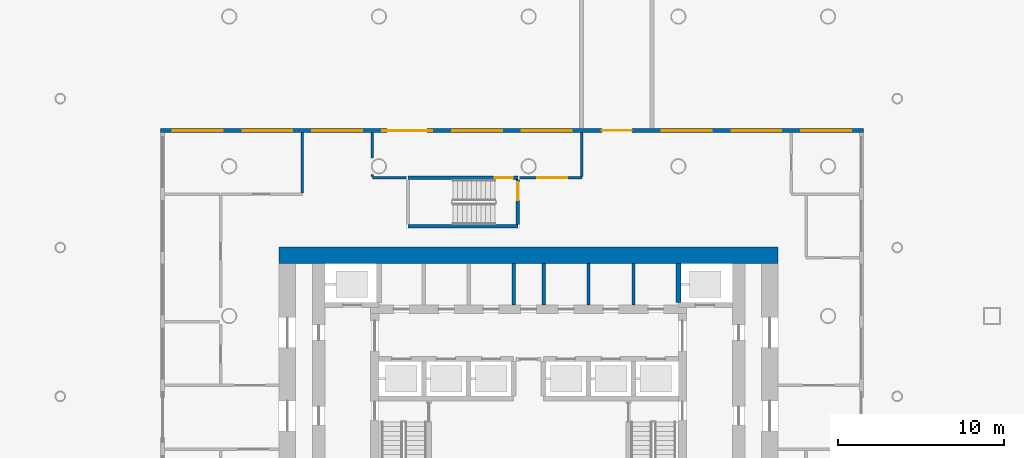
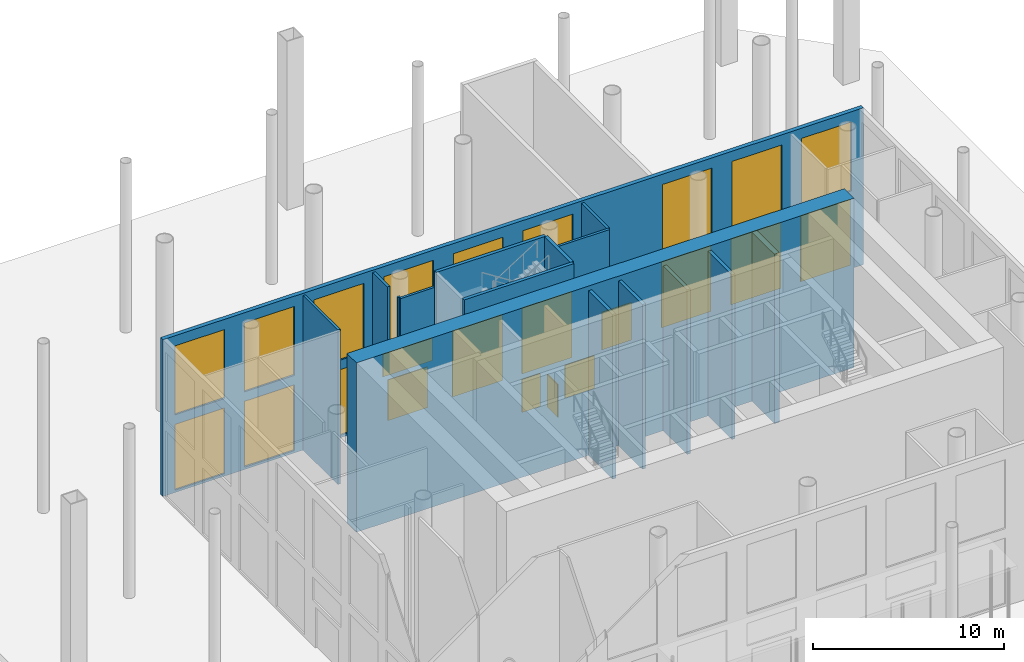
# One storey, part 13 of 18: 18 windows, 16 walls, 5 doors, 23 openings.
"""IFC4 building model written with IfcOpenShell, lengths in metres."""

from ifc_helpers import new_model, si_unit, direction, frame, frame_2d, origin, place, context, subcontext, project, spatial, rectangle, extrude, material, layer, layer_set, type_object, element, fill, save


model = new_model("IFC4")

# Units and contexts
model_context = context("Model", 3, precision=1e-05, world=origin(), true_north=direction((0.0, 1.0)))
body_context = subcontext(model_context, "Body", "Model", "MODEL_VIEW")
ifc_project = project(units=[si_unit("LENGTHUNIT", "METRE"), si_unit("AREAUNIT", "SQUARE_METRE"), si_unit("VOLUMEUNIT", "CUBIC_METRE"), si_unit("PLANEANGLEUNIT", "RADIAN"), si_unit("MASSUNIT", "GRAM", prefix="KILO")], contexts=[model_context])

# Site, building, storey
site_placement = place(None, origin())
site = spatial("IfcSite", under=ifc_project, at=site_placement, CompositionType="ELEMENT")
building_placement = place(site_placement, origin())
building = spatial("IfcBuilding", under=site, at=building_placement, Name="Tskaro Facet Tower", CompositionType="ELEMENT")
storey_placement = place(building_placement, origin())
storey = spatial("IfcBuildingStorey", under=building, at=storey_placement, Name="L00", CompositionType="ELEMENT", Elevation=0.0)

# Walls
ifc_material_1 = material(Name="Concrete C60/75", Category="concrete")
ifc_layer_1 = layer(ifc_material_1, 0.300048828125, Name="Concrete C60/75")
ifc_layer_set_1 = layer_set([ifc_layer_1], Name="Concrete C60/75")
wall_type_1 = type_object("IfcWallType", Name="CORE-SHAFT", PredefinedType="SHEAR", material=ifc_layer_set_1)
wall_1_placement = place(storey_placement, frame((9.0, 0.800048828125, 0.0), z_axis=(0.0, 0.0, 1.0), x_axis=(0.0, 1.0, 0.0)))
element("IfcWall", 1, at=wall_1_placement, inside=storey, type_object=wall_type_1, Name="Shaft wall W060", PredefinedType="SHEAR", context=body_context, shape_type="SweptSolid", body=[
    extrude(rectangle(XDim=2.349853515625, YDim=0.300048828125, at=frame_2d((1.1748046875, 0.0))), origin(), (0.0, 0.0, 1.0), 10.800048828125),
])
ifc_material_2 = material(Name="Concrete C20/25", Category="concrete")
ifc_layer_2 = layer(ifc_material_2, 0.199951171875, Name="Concrete C20/25")
ifc_layer_set_2 = layer_set([ifc_layer_2], Name="Concrete C20/25")
wall_type_2 = type_object("IfcWallType", Name="CORE-WALL", PredefinedType="SOLIDWALL", material=ifc_layer_set_2)
for number, where, z_axis, x_axis, name in (
    (2, (-0.89990234375, 0.64990234375, 0.0), (0.0, 0.0, 1.0), (0.0, 1.0, 0.0), "Core room wall W047"),
    (3, (0.89990234375, 0.64990234375, 0.0), (0.0, 0.0, 1.0), (0.0, 1.0, 0.0), "Core room wall W051"),
    (4, (3.60009765625, 0.64990234375, 0.0), (0.0, 0.0, 1.0), (0.0, 1.0, 0.0), "Core room wall W055"),
    (5, (6.300048828125, 0.64990234375, 0.0), (0.0, 0.0, 1.0), (0.0, 1.0, 0.0), "Core room wall W058"),
):
    element("IfcWall", number, at=place(storey_placement, frame(where, z_axis=z_axis, x_axis=x_axis)), inside=storey, type_object=wall_type_2, Name=name, PredefinedType="SOLIDWALL", context=body_context, shape_type="SweptSolid", body=[
        extrude(rectangle(XDim=2.5, YDim=0.199951171875, at=frame_2d((1.25, 0.0))), origin(), (0.0, 0.0, 1.0), 10.5),
    ])

# Wall, openings, windows, doors
ifc_material_3 = material(Name="Bronze anodised aluminium cladding 5005-H34", Category="aluminium")
ifc_layer_3 = layer(ifc_material_3, 0.25, Name="Bronze anodised aluminium cladding 5005-H34")
ifc_layer_set_3 = layer_set([ifc_layer_3], Name="Bronze anodised aluminium cladding 5005-H34")
wall_type_3 = type_object("IfcWallType", Name="Concourse frame wall", PredefinedType="STANDARD", material=ifc_layer_set_3)
wall_2_placement = place(storey_placement, frame((20.125, 11.14990234375, 0.0), z_axis=(0.0, 0.0, 1.0), x_axis=(-1.0, 0.0, 0.0)))
wall_2 = element("IfcWall", 6, at=wall_2_placement, inside=storey, type_object=wall_type_3, Name="Concourse wall north", PredefinedType="STANDARD", context=body_context, shape_type="SweptSolid", body=[
    extrude(rectangle(XDim=42.25, YDim=0.25, at=frame_2d((21.125, 0.0))), origin(), (0.0, 0.0, 1.0), 10.0),
])
opening_1_placement = place(wall_2_placement, frame((0.72509765625, 0.0, 0.14990234375)))
opening_1 = element("IfcOpeningElement", 7, at=opening_1_placement, cuts=wall_2, Name="Opening GW1", PredefinedType="OPENING", context=body_context, shape_type="SweptSolid", body=[
    extrude(rectangle(XDim=3.0, YDim=4.199951171875, at=frame_2d((1.5, 2.10009765625))), frame((0.0, 0.135009765625, 0.0), z_axis=(0.0, -1.0, 0.0), x_axis=(1.0, 0.0, 0.0)), (0.0, 0.0, 1.0), 0.27001953125),
])
opening_2_placement = place(wall_2_placement, frame((0.72509765625, 0.0, 4.949951171875)))
opening_2 = element("IfcOpeningElement", 8, at=opening_2_placement, cuts=wall_2, Name="Opening GW2", PredefinedType="OPENING", context=body_context, shape_type="SweptSolid", body=[
    extrude(rectangle(XDim=3.0, YDim=4.39990234375, at=frame_2d((1.5, 2.199951171875))), frame((0.0, 0.135009765625, 0.0), z_axis=(0.0, -1.0, 0.0), x_axis=(1.0, 0.0, 0.0)), (0.0, 0.0, 1.0), 0.27001953125),
])
opening_3_placement = place(wall_2_placement, frame((4.925048828125, 0.0, 0.14990234375)))
opening_3 = element("IfcOpeningElement", 9, at=opening_3_placement, cuts=wall_2, Name="Opening GW1", PredefinedType="OPENING", context=body_context, shape_type="SweptSolid", body=[
    extrude(rectangle(XDim=3.0, YDim=4.199951171875, at=frame_2d((1.5, 2.10009765625))), frame((0.0, 0.135009765625, 0.0), z_axis=(0.0, -1.0, 0.0), x_axis=(1.0, 0.0, 0.0)), (0.0, 0.0, 1.0), 0.27001953125),
])
opening_4_placement = place(wall_2_placement, frame((4.925048828125, 0.0, 4.949951171875)))
opening_4 = element("IfcOpeningElement", 10, at=opening_4_placement, cuts=wall_2, Name="Opening GW2", PredefinedType="OPENING", context=body_context, shape_type="SweptSolid", body=[
    extrude(rectangle(XDim=3.0, YDim=4.39990234375, at=frame_2d((1.5, 2.199951171875))), frame((0.0, 0.135009765625, 0.0), z_axis=(0.0, -1.0, 0.0), x_axis=(1.0, 0.0, 0.0)), (0.0, 0.0, 1.0), 0.27001953125),
])
opening_5_placement = place(wall_2_placement, frame((9.125, 0.0, 0.14990234375)))
opening_5 = element("IfcOpeningElement", 11, at=opening_5_placement, cuts=wall_2, Name="Opening GW1", PredefinedType="OPENING", context=body_context, shape_type="SweptSolid", body=[
    extrude(rectangle(XDim=3.0, YDim=4.199951171875, at=frame_2d((1.5, 2.10009765625))), frame((0.0, 0.135009765625, 0.0), z_axis=(0.0, -1.0, 0.0), x_axis=(1.0, 0.0, 0.0)), (0.0, 0.0, 1.0), 0.27001953125),
])
opening_6_placement = place(wall_2_placement, frame((9.125, 0.0, 4.949951171875)))
opening_6 = element("IfcOpeningElement", 12, at=opening_6_placement, cuts=wall_2, Name="Opening GW2", PredefinedType="OPENING", context=body_context, shape_type="SweptSolid", body=[
    extrude(rectangle(XDim=3.0, YDim=4.39990234375, at=frame_2d((1.5, 2.199951171875))), frame((0.0, 0.135009765625, 0.0), z_axis=(0.0, -1.0, 0.0), x_axis=(1.0, 0.0, 0.0)), (0.0, 0.0, 1.0), 0.27001953125),
])
opening_7_placement = place(wall_2_placement, frame((13.925048828125, 0.0, 0.0)))
opening_7 = element("IfcOpeningElement", 13, at=opening_7_placement, cuts=wall_2, Name="Opening E04", PredefinedType="OPENING", context=body_context, shape_type="SweptSolid", body=[
    extrude(rectangle(XDim=1.800048828125, YDim=2.39990234375, at=frame_2d((0.89990234375, 1.199951171875))), frame((0.0, 0.135009765625, 0.0), z_axis=(0.0, -1.0, 0.0), x_axis=(1.0, 0.0, 0.0)), (0.0, 0.0, 1.0), 0.27001953125),
])
opening_8_placement = place(wall_2_placement, frame((17.52490234375, 0.0, 0.14990234375)))
opening_8 = element("IfcOpeningElement", 14, at=opening_8_placement, cuts=wall_2, Name="Opening GW1", PredefinedType="OPENING", context=body_context, shape_type="SweptSolid", body=[
    extrude(rectangle(XDim=3.0, YDim=4.199951171875, at=frame_2d((1.5, 2.10009765625))), frame((0.0, 0.135009765625, 0.0), z_axis=(0.0, -1.0, 0.0), x_axis=(1.0, 0.0, 0.0)), (0.0, 0.0, 1.0), 0.27001953125),
])
opening_9_placement = place(wall_2_placement, frame((17.52490234375, 0.0, 4.949951171875)))
opening_9 = element("IfcOpeningElement", 15, at=opening_9_placement, cuts=wall_2, Name="Opening GW2", PredefinedType="OPENING", context=body_context, shape_type="SweptSolid", body=[
    extrude(rectangle(XDim=3.0, YDim=4.39990234375, at=frame_2d((1.5, 2.199951171875))), frame((0.0, 0.135009765625, 0.0), z_axis=(0.0, -1.0, 0.0), x_axis=(1.0, 0.0, 0.0)), (0.0, 0.0, 1.0), 0.27001953125),
])
opening_10_placement = place(wall_2_placement, frame((21.72509765625, 0.0, 0.14990234375)))
opening_10 = element("IfcOpeningElement", 16, at=opening_10_placement, cuts=wall_2, Name="Opening GW1", PredefinedType="OPENING", context=body_context, shape_type="SweptSolid", body=[
    extrude(rectangle(XDim=3.0, YDim=4.199951171875, at=frame_2d((1.5, 2.10009765625))), frame((0.0, 0.135009765625, 0.0), z_axis=(0.0, -1.0, 0.0), x_axis=(1.0, 0.0, 0.0)), (0.0, 0.0, 1.0), 0.27001953125),
])
opening_11_placement = place(wall_2_placement, frame((21.72509765625, 0.0, 4.949951171875)))
opening_11 = element("IfcOpeningElement", 17, at=opening_11_placement, cuts=wall_2, Name="Opening GW2", PredefinedType="OPENING", context=body_context, shape_type="SweptSolid", body=[
    extrude(rectangle(XDim=3.0, YDim=4.39990234375, at=frame_2d((1.5, 2.199951171875))), frame((0.0, 0.135009765625, 0.0), z_axis=(0.0, -1.0, 0.0), x_axis=(1.0, 0.0, 0.0)), (0.0, 0.0, 1.0), 0.27001953125),
])
opening_12_placement = place(wall_2_placement, frame((26.22509765625, 0.0, 0.0)))
opening_12 = element("IfcOpeningElement", 18, at=opening_12_placement, cuts=wall_2, Name="Opening E05", PredefinedType="OPENING", context=body_context, shape_type="SweptSolid", body=[
    extrude(rectangle(XDim=2.39990234375, YDim=2.60009765625, at=frame_2d((1.199951171875, 1.300048828125))), frame((0.0, 0.135009765625, 0.0), z_axis=(0.0, -1.0, 0.0), x_axis=(1.0, 0.0, 0.0)), (0.0, 0.0, 1.0), 0.27001953125),
])
opening_13_placement = place(wall_2_placement, frame((25.925048828125, 0.0, 2.89990234375)))
opening_13 = element("IfcOpeningElement", 19, at=opening_13_placement, cuts=wall_2, Name="Opening GW3", PredefinedType="OPENING", context=body_context, shape_type="SweptSolid", body=[
    extrude(rectangle(XDim=3.0, YDim=1.449951171875, at=frame_2d((1.5, 0.72509765625))), frame((0.0, 0.135009765625, 0.0), z_axis=(0.0, -1.0, 0.0), x_axis=(1.0, 0.0, 0.0)), (0.0, 0.0, 1.0), 0.27001953125),
])
opening_14_placement = place(wall_2_placement, frame((25.925048828125, 0.0, 4.949951171875)))
opening_14 = element("IfcOpeningElement", 20, at=opening_14_placement, cuts=wall_2, Name="Opening GW2", PredefinedType="OPENING", context=body_context, shape_type="SweptSolid", body=[
    extrude(rectangle(XDim=3.0, YDim=4.39990234375, at=frame_2d((1.5, 2.199951171875))), frame((0.0, 0.135009765625, 0.0), z_axis=(0.0, -1.0, 0.0), x_axis=(1.0, 0.0, 0.0)), (0.0, 0.0, 1.0), 0.27001953125),
])
opening_15_placement = place(wall_2_placement, frame((30.125, 0.0, 0.14990234375)))
opening_15 = element("IfcOpeningElement", 21, at=opening_15_placement, cuts=wall_2, Name="Opening GW1", PredefinedType="OPENING", context=body_context, shape_type="SweptSolid", body=[
    extrude(rectangle(XDim=3.0, YDim=4.199951171875, at=frame_2d((1.5, 2.10009765625))), frame((0.0, 0.135009765625, 0.0), z_axis=(0.0, -1.0, 0.0), x_axis=(1.0, 0.0, 0.0)), (0.0, 0.0, 1.0), 0.27001953125),
])
opening_16_placement = place(wall_2_placement, frame((30.125, 0.0, 4.949951171875)))
opening_16 = element("IfcOpeningElement", 22, at=opening_16_placement, cuts=wall_2, Name="Opening GW2", PredefinedType="OPENING", context=body_context, shape_type="SweptSolid", body=[
    extrude(rectangle(XDim=3.0, YDim=4.39990234375, at=frame_2d((1.5, 2.199951171875))), frame((0.0, 0.135009765625, 0.0), z_axis=(0.0, -1.0, 0.0), x_axis=(1.0, 0.0, 0.0)), (0.0, 0.0, 1.0), 0.27001953125),
])
opening_17_placement = place(wall_2_placement, frame((34.324951171875, 0.0, 0.14990234375)))
opening_17 = element("IfcOpeningElement", 23, at=opening_17_placement, cuts=wall_2, Name="Opening GW1", PredefinedType="OPENING", context=body_context, shape_type="SweptSolid", body=[
    extrude(rectangle(XDim=3.0, YDim=4.199951171875, at=frame_2d((1.5, 2.10009765625))), frame((0.0, 0.135009765625, 0.0), z_axis=(0.0, -1.0, 0.0), x_axis=(1.0, 0.0, 0.0)), (0.0, 0.0, 1.0), 0.27001953125),
])
opening_18_placement = place(wall_2_placement, frame((34.324951171875, 0.0, 4.949951171875)))
opening_18 = element("IfcOpeningElement", 24, at=opening_18_placement, cuts=wall_2, Name="Opening GW2", PredefinedType="OPENING", context=body_context, shape_type="SweptSolid", body=[
    extrude(rectangle(XDim=3.0, YDim=4.39990234375, at=frame_2d((1.5, 2.199951171875))), frame((0.0, 0.135009765625, 0.0), z_axis=(0.0, -1.0, 0.0), x_axis=(1.0, 0.0, 0.0)), (0.0, 0.0, 1.0), 0.27001953125),
])
opening_19_placement = place(wall_2_placement, frame((38.52490234375, 0.0, 0.14990234375)))
opening_19 = element("IfcOpeningElement", 25, at=opening_19_placement, cuts=wall_2, Name="Opening GW1", PredefinedType="OPENING", context=body_context, shape_type="SweptSolid", body=[
    extrude(rectangle(XDim=3.0, YDim=4.199951171875, at=frame_2d((1.5, 2.10009765625))), frame((0.0, 0.135009765625, 0.0), z_axis=(0.0, -1.0, 0.0), x_axis=(1.0, 0.0, 0.0)), (0.0, 0.0, 1.0), 0.27001953125),
])
opening_20_placement = place(wall_2_placement, frame((38.52490234375, 0.0, 4.949951171875)))
opening_20 = element("IfcOpeningElement", 26, at=opening_20_placement, cuts=wall_2, Name="Opening GW2", PredefinedType="OPENING", context=body_context, shape_type="SweptSolid", body=[
    extrude(rectangle(XDim=3.0, YDim=4.39990234375, at=frame_2d((1.5, 2.199951171875))), frame((0.0, 0.135009765625, 0.0), z_axis=(0.0, -1.0, 0.0), x_axis=(1.0, 0.0, 0.0)), (0.0, 0.0, 1.0), 0.27001953125),
])
ifc_material_4 = material(Name="Bronze tinted glass", Category="glass")
window_type_1 = type_object("IfcWindowType", Name="Concourse transom light 3000x1450", PartitioningType="SINGLE_PANEL", PredefinedType="WINDOW", material=ifc_material_4)
window_1_placement = place(opening_13_placement, origin())
window_1 = element("IfcWindow", 27, at=window_1_placement, inside=storey, type_object=window_type_1, Name="Concourse transom light north 7", OverallHeight=1.449951171875, OverallWidth=3.0, PartitioningType="SINGLE_PANEL", PredefinedType="WINDOW", context=body_context, shape_type="SweptSolid", body=[
    extrude(rectangle(XDim=3.0, YDim=1.449951171875, at=frame_2d((1.5, 0.72509765625))), frame((0.0, 0.030029296875, 0.0), z_axis=(0.0, -1.0, 0.0), x_axis=(1.0, 0.0, 0.0)), (0.0, 0.0, 1.0), 0.06005859375),
])
fill(opening_13, window_1)
window_type_2 = type_object("IfcWindowType", Name="Concourse window 3000x4200", PartitioningType="DOUBLE_PANEL_HORIZONTAL", PredefinedType="WINDOW", material=ifc_material_4)
window_2_placement = place(opening_1_placement, origin())
window_2 = element("IfcWindow", 28, at=window_2_placement, inside=storey, type_object=window_type_2, Name="Concourse window north 1 lower", OverallHeight=4.199951171875, OverallWidth=3.0, PartitioningType="DOUBLE_PANEL_HORIZONTAL", PredefinedType="WINDOW", context=body_context, shape_type="SweptSolid", body=[
    extrude(rectangle(XDim=3.0, YDim=4.199951171875, at=frame_2d((1.5, 2.10009765625))), frame((0.0, 0.030029296875, 0.0), z_axis=(0.0, -1.0, 0.0), x_axis=(1.0, 0.0, 0.0)), (0.0, 0.0, 1.0), 0.06005859375),
])
fill(opening_1, window_2)
window_3_placement = place(opening_3_placement, origin())
window_3 = element("IfcWindow", 29, at=window_3_placement, inside=storey, type_object=window_type_2, Name="Concourse window north 2 lower", OverallHeight=4.199951171875, OverallWidth=3.0, PartitioningType="DOUBLE_PANEL_HORIZONTAL", PredefinedType="WINDOW", context=body_context, shape_type="SweptSolid", body=[
    extrude(rectangle(XDim=3.0, YDim=4.199951171875, at=frame_2d((1.5, 2.10009765625))), frame((0.0, 0.030029296875, 0.0), z_axis=(0.0, -1.0, 0.0), x_axis=(1.0, 0.0, 0.0)), (0.0, 0.0, 1.0), 0.06005859375),
])
fill(opening_3, window_3)
window_4_placement = place(opening_5_placement, origin())
window_4 = element("IfcWindow", 30, at=window_4_placement, inside=storey, type_object=window_type_2, Name="Concourse window north 3 lower", OverallHeight=4.199951171875, OverallWidth=3.0, PartitioningType="DOUBLE_PANEL_HORIZONTAL", PredefinedType="WINDOW", context=body_context, shape_type="SweptSolid", body=[
    extrude(rectangle(XDim=3.0, YDim=4.199951171875, at=frame_2d((1.5, 2.10009765625))), frame((0.0, 0.030029296875, 0.0), z_axis=(0.0, -1.0, 0.0), x_axis=(1.0, 0.0, 0.0)), (0.0, 0.0, 1.0), 0.06005859375),
])
fill(opening_5, window_4)
window_5_placement = place(opening_8_placement, origin())
window_5 = element("IfcWindow", 31, at=window_5_placement, inside=storey, type_object=window_type_2, Name="Concourse window north 5 lower", OverallHeight=4.199951171875, OverallWidth=3.0, PartitioningType="DOUBLE_PANEL_HORIZONTAL", PredefinedType="WINDOW", context=body_context, shape_type="SweptSolid", body=[
    extrude(rectangle(XDim=3.0, YDim=4.199951171875, at=frame_2d((1.5, 2.10009765625))), frame((0.0, 0.030029296875, 0.0), z_axis=(0.0, -1.0, 0.0), x_axis=(1.0, 0.0, 0.0)), (0.0, 0.0, 1.0), 0.06005859375),
])
fill(opening_8, window_5)
window_6_placement = place(opening_10_placement, origin())
window_6 = element("IfcWindow", 32, at=window_6_placement, inside=storey, type_object=window_type_2, Name="Concourse window north 6 lower", OverallHeight=4.199951171875, OverallWidth=3.0, PartitioningType="DOUBLE_PANEL_HORIZONTAL", PredefinedType="WINDOW", context=body_context, shape_type="SweptSolid", body=[
    extrude(rectangle(XDim=3.0, YDim=4.199951171875, at=frame_2d((1.5, 2.10009765625))), frame((0.0, 0.030029296875, 0.0), z_axis=(0.0, -1.0, 0.0), x_axis=(1.0, 0.0, 0.0)), (0.0, 0.0, 1.0), 0.06005859375),
])
fill(opening_10, window_6)
window_7_placement = place(opening_15_placement, origin())
window_7 = element("IfcWindow", 33, at=window_7_placement, inside=storey, type_object=window_type_2, Name="Concourse window north 8 lower", OverallHeight=4.199951171875, OverallWidth=3.0, PartitioningType="DOUBLE_PANEL_HORIZONTAL", PredefinedType="WINDOW", context=body_context, shape_type="SweptSolid", body=[
    extrude(rectangle(XDim=3.0, YDim=4.199951171875, at=frame_2d((1.5, 2.10009765625))), frame((0.0, 0.030029296875, 0.0), z_axis=(0.0, -1.0, 0.0), x_axis=(1.0, 0.0, 0.0)), (0.0, 0.0, 1.0), 0.06005859375),
])
fill(opening_15, window_7)
window_8_placement = place(opening_17_placement, origin())
window_8 = element("IfcWindow", 34, at=window_8_placement, inside=storey, type_object=window_type_2, Name="Concourse window north 9 lower", OverallHeight=4.199951171875, OverallWidth=3.0, PartitioningType="DOUBLE_PANEL_HORIZONTAL", PredefinedType="WINDOW", context=body_context, shape_type="SweptSolid", body=[
    extrude(rectangle(XDim=3.0, YDim=4.199951171875, at=frame_2d((1.5, 2.10009765625))), frame((0.0, 0.030029296875, 0.0), z_axis=(0.0, -1.0, 0.0), x_axis=(1.0, 0.0, 0.0)), (0.0, 0.0, 1.0), 0.06005859375),
])
fill(opening_17, window_8)
window_9_placement = place(opening_19_placement, origin())
window_9 = element("IfcWindow", 35, at=window_9_placement, inside=storey, type_object=window_type_2, Name="Concourse window north 10 lower", OverallHeight=4.199951171875, OverallWidth=3.0, PartitioningType="DOUBLE_PANEL_HORIZONTAL", PredefinedType="WINDOW", context=body_context, shape_type="SweptSolid", body=[
    extrude(rectangle(XDim=3.0, YDim=4.199951171875, at=frame_2d((1.5, 2.10009765625))), frame((0.0, 0.030029296875, 0.0), z_axis=(0.0, -1.0, 0.0), x_axis=(1.0, 0.0, 0.0)), (0.0, 0.0, 1.0), 0.06005859375),
])
fill(opening_19, window_9)
window_type_3 = type_object("IfcWindowType", Name="Concourse window 3000x4400", PartitioningType="DOUBLE_PANEL_HORIZONTAL", PredefinedType="WINDOW", material=ifc_material_4)
window_10_placement = place(opening_2_placement, origin())
window_10 = element("IfcWindow", 36, at=window_10_placement, inside=storey, type_object=window_type_3, Name="Concourse window north 1 upper", OverallHeight=4.39990234375, OverallWidth=3.0, PartitioningType="DOUBLE_PANEL_HORIZONTAL", PredefinedType="WINDOW", context=body_context, shape_type="SweptSolid", body=[
    extrude(rectangle(XDim=3.0, YDim=4.39990234375, at=frame_2d((1.5, 2.199951171875))), frame((0.0, 0.030029296875, 0.0), z_axis=(0.0, -1.0, 0.0), x_axis=(1.0, 0.0, 0.0)), (0.0, 0.0, 1.0), 0.06005859375),
])
fill(opening_2, window_10)
window_11_placement = place(opening_4_placement, origin())
window_11 = element("IfcWindow", 37, at=window_11_placement, inside=storey, type_object=window_type_3, Name="Concourse window north 2 upper", OverallHeight=4.39990234375, OverallWidth=3.0, PartitioningType="DOUBLE_PANEL_HORIZONTAL", PredefinedType="WINDOW", context=body_context, shape_type="SweptSolid", body=[
    extrude(rectangle(XDim=3.0, YDim=4.39990234375, at=frame_2d((1.5, 2.199951171875))), frame((0.0, 0.030029296875, 0.0), z_axis=(0.0, -1.0, 0.0), x_axis=(1.0, 0.0, 0.0)), (0.0, 0.0, 1.0), 0.06005859375),
])
fill(opening_4, window_11)
window_12_placement = place(opening_6_placement, origin())
window_12 = element("IfcWindow", 38, at=window_12_placement, inside=storey, type_object=window_type_3, Name="Concourse window north 3 upper", OverallHeight=4.39990234375, OverallWidth=3.0, PartitioningType="DOUBLE_PANEL_HORIZONTAL", PredefinedType="WINDOW", context=body_context, shape_type="SweptSolid", body=[
    extrude(rectangle(XDim=3.0, YDim=4.39990234375, at=frame_2d((1.5, 2.199951171875))), frame((0.0, 0.030029296875, 0.0), z_axis=(0.0, -1.0, 0.0), x_axis=(1.0, 0.0, 0.0)), (0.0, 0.0, 1.0), 0.06005859375),
])
fill(opening_6, window_12)
window_13_placement = place(opening_9_placement, origin())
window_13 = element("IfcWindow", 39, at=window_13_placement, inside=storey, type_object=window_type_3, Name="Concourse window north 5 upper", OverallHeight=4.39990234375, OverallWidth=3.0, PartitioningType="DOUBLE_PANEL_HORIZONTAL", PredefinedType="WINDOW", context=body_context, shape_type="SweptSolid", body=[
    extrude(rectangle(XDim=3.0, YDim=4.39990234375, at=frame_2d((1.5, 2.199951171875))), frame((0.0, 0.030029296875, 0.0), z_axis=(0.0, -1.0, 0.0), x_axis=(1.0, 0.0, 0.0)), (0.0, 0.0, 1.0), 0.06005859375),
])
fill(opening_9, window_13)
window_14_placement = place(opening_11_placement, origin())
window_14 = element("IfcWindow", 40, at=window_14_placement, inside=storey, type_object=window_type_3, Name="Concourse window north 6 upper", OverallHeight=4.39990234375, OverallWidth=3.0, PartitioningType="DOUBLE_PANEL_HORIZONTAL", PredefinedType="WINDOW", context=body_context, shape_type="SweptSolid", body=[
    extrude(rectangle(XDim=3.0, YDim=4.39990234375, at=frame_2d((1.5, 2.199951171875))), frame((0.0, 0.030029296875, 0.0), z_axis=(0.0, -1.0, 0.0), x_axis=(1.0, 0.0, 0.0)), (0.0, 0.0, 1.0), 0.06005859375),
])
fill(opening_11, window_14)
window_15_placement = place(opening_14_placement, origin())
window_15 = element("IfcWindow", 41, at=window_15_placement, inside=storey, type_object=window_type_3, Name="Concourse window north 7 upper", OverallHeight=4.39990234375, OverallWidth=3.0, PartitioningType="DOUBLE_PANEL_HORIZONTAL", PredefinedType="WINDOW", context=body_context, shape_type="SweptSolid", body=[
    extrude(rectangle(XDim=3.0, YDim=4.39990234375, at=frame_2d((1.5, 2.199951171875))), frame((0.0, 0.030029296875, 0.0), z_axis=(0.0, -1.0, 0.0), x_axis=(1.0, 0.0, 0.0)), (0.0, 0.0, 1.0), 0.06005859375),
])
fill(opening_14, window_15)
window_16_placement = place(opening_16_placement, origin())
window_16 = element("IfcWindow", 42, at=window_16_placement, inside=storey, type_object=window_type_3, Name="Concourse window north 8 upper", OverallHeight=4.39990234375, OverallWidth=3.0, PartitioningType="DOUBLE_PANEL_HORIZONTAL", PredefinedType="WINDOW", context=body_context, shape_type="SweptSolid", body=[
    extrude(rectangle(XDim=3.0, YDim=4.39990234375, at=frame_2d((1.5, 2.199951171875))), frame((0.0, 0.030029296875, 0.0), z_axis=(0.0, -1.0, 0.0), x_axis=(1.0, 0.0, 0.0)), (0.0, 0.0, 1.0), 0.06005859375),
])
fill(opening_16, window_16)
window_17_placement = place(opening_18_placement, origin())
window_17 = element("IfcWindow", 43, at=window_17_placement, inside=storey, type_object=window_type_3, Name="Concourse window north 9 upper", OverallHeight=4.39990234375, OverallWidth=3.0, PartitioningType="DOUBLE_PANEL_HORIZONTAL", PredefinedType="WINDOW", context=body_context, shape_type="SweptSolid", body=[
    extrude(rectangle(XDim=3.0, YDim=4.39990234375, at=frame_2d((1.5, 2.199951171875))), frame((0.0, 0.030029296875, 0.0), z_axis=(0.0, -1.0, 0.0), x_axis=(1.0, 0.0, 0.0)), (0.0, 0.0, 1.0), 0.06005859375),
])
fill(opening_18, window_17)
window_18_placement = place(opening_20_placement, origin())
window_18 = element("IfcWindow", 44, at=window_18_placement, inside=storey, type_object=window_type_3, Name="Concourse window north 10 upper", OverallHeight=4.39990234375, OverallWidth=3.0, PartitioningType="DOUBLE_PANEL_HORIZONTAL", PredefinedType="WINDOW", context=body_context, shape_type="SweptSolid", body=[
    extrude(rectangle(XDim=3.0, YDim=4.39990234375, at=frame_2d((1.5, 2.199951171875))), frame((0.0, 0.030029296875, 0.0), z_axis=(0.0, -1.0, 0.0), x_axis=(1.0, 0.0, 0.0)), (0.0, 0.0, 1.0), 0.06005859375),
])
fill(opening_20, window_18)
ifc_material_5 = material(Name="Bronze anodised aluminium 6063-T6 and glass", Category="aluminium")
door_type_1 = type_object("IfcDoorType", Name="Service door 1800x2400", OperationType="DOUBLE_DOOR_SINGLE_SWING", PredefinedType="DOOR", material=ifc_material_5)
door_1_placement = place(opening_7_placement, origin())
door_1 = element("IfcDoor", 45, at=door_1_placement, inside=storey, type_object=door_type_1, Name="Service door north 4", OperationType="DOUBLE_DOOR_SINGLE_SWING", OverallHeight=2.39990234375, OverallWidth=1.800048828125, PredefinedType="DOOR", context=body_context, shape_type="SweptSolid", body=[
    extrude(rectangle(XDim=1.800048828125, YDim=2.39990234375, at=frame_2d((0.89990234375, 1.199951171875))), frame((0.0, 0.02490234375, 0.0), z_axis=(0.0, -1.0, 0.0), x_axis=(1.0, 0.0, 0.0)), (0.0, 0.0, 1.0), 0.050048828125),
])
fill(opening_7, door_1)
door_type_2 = type_object("IfcDoorType", Name="Sliding entrance door 2400x2600", OperationType="DOUBLE_DOOR_SLIDING", PredefinedType="DOOR", material=ifc_material_5)
door_2_placement = place(opening_12_placement, origin())
door_2 = element("IfcDoor", 46, at=door_2_placement, inside=storey, type_object=door_type_2, Name="Entrance door north 7", OperationType="DOUBLE_DOOR_SLIDING", OverallHeight=2.60009765625, OverallWidth=2.39990234375, PredefinedType="DOOR", context=body_context, shape_type="SweptSolid", body=[
    extrude(rectangle(XDim=2.39990234375, YDim=2.60009765625, at=frame_2d((1.199951171875, 1.300048828125))), frame((0.0, 0.02490234375, 0.0), z_axis=(0.0, -1.0, 0.0), x_axis=(1.0, 0.0, 0.0)), (0.0, 0.0, 1.0), 0.050048828125),
])
fill(opening_12, door_2)

# Walls
ifc_layer_4 = layer(ifc_material_1, 1.0, Name="Concrete C60/75")
ifc_layer_set_4 = layer_set([ifc_layer_4], Name="Concrete C60/75")
wall_type_4 = type_object("IfcWallType", Name="Core wall 1000", PredefinedType="SHEAR", material=ifc_layer_set_4)
wall_3_placement = place(storey_placement, frame((-15.0, 3.64990234375, 0.0), z_axis=(0.0, 0.0, 1.0), x_axis=(1.0, 0.0, 0.0)))
element("IfcWall", 47, at=wall_3_placement, inside=storey, type_object=wall_type_4, Name="Core wall CW-Z1N", PredefinedType="SHEAR", context=body_context, shape_type="SweptSolid", body=[
    extrude(rectangle(XDim=30.0, YDim=1.0, at=frame_2d((15.0, 0.0))), origin(), (0.0, 0.0, 1.0), 10.800048828125),
])
ifc_material_6 = material(Name="Gypsum board on steel studs", Category="steel")
ifc_layer_5 = layer(ifc_material_6, 0.14990234375, Name="Gypsum board on steel studs")
ifc_layer_set_5 = layer_set([ifc_layer_5], Name="Gypsum board on steel studs")
wall_type_5 = type_object("IfcWallType", Name="PART-CORR", PredefinedType="PARTITIONING", material=ifc_layer_set_5)
wall_4_placement = place(storey_placement, frame((-9.39990234375, 8.300048828125, 0.0), z_axis=(0.0, 0.0, 1.0), x_axis=(1.0, 0.0, 0.0)))
element("IfcWall", 48, at=wall_4_placement, inside=storey, type_object=wall_type_5, Name="Corridor wall W026", PredefinedType="PARTITIONING", context=body_context, shape_type="SweptSolid", body=[
    extrude(rectangle(XDim=2.0498046875, YDim=0.14990234375, at=frame_2d((1.02490234375, 0.0))), origin(), (0.0, 0.0, 1.0), 9.860107421875),
])

# Wall, opening, door
wall_5_placement = place(storey_placement, frame((3.199951171875, 8.300048828125, 0.0), z_axis=(0.0, 0.0, 1.0), x_axis=(-1.0, 0.0, 0.0)))
wall_5 = element("IfcWall", 49, at=wall_5_placement, inside=storey, type_object=wall_type_5, Name="Corridor wall W028", PredefinedType="PARTITIONING", context=body_context, shape_type="SweptSolid", body=[
    extrude(rectangle(XDim=3.75, YDim=0.14990234375, at=frame_2d((1.875, 0.0))), origin(), (0.0, 0.0, 1.0), 9.860107421875),
])
opening_21_placement = place(wall_5_placement, frame((0.875, 0.0, 0.0)))
opening_21 = element("IfcOpeningElement", 50, at=opening_21_placement, cuts=wall_5, Name="Opening XC-4", PredefinedType="OPENING", context=body_context, shape_type="SweptSolid", body=[
    extrude(rectangle(XDim=1.800048828125, YDim=2.10009765625, at=frame_2d((0.89990234375, 1.050048828125))), frame((0.0, 0.0849609375, 0.0), z_axis=(0.0, -1.0, 0.0), x_axis=(1.0, 0.0, 0.0)), (0.0, 0.0, 1.0), 0.169921875),
])
ifc_material_7 = material(Name="Glass", Category="glass")
door_type_3 = type_object("IfcDoorType", Name="D-ENTRY-PAIR", OperationType="NOTDEFINED", PredefinedType="DOOR", material=ifc_material_7)
door_3_placement = place(opening_21_placement, origin())
door_3 = element("IfcDoor", 51, at=door_3_placement, inside=storey, type_object=door_type_3, Name="Passage door 4", OperationType="DOUBLE_DOOR_SINGLE_SWING", OverallHeight=2.10009765625, OverallWidth=1.800048828125, PredefinedType="DOOR", context=body_context, shape_type="SweptSolid", body=[
    extrude(rectangle(XDim=1.800048828125, YDim=2.10009765625, at=frame_2d((0.89990234375, 1.050048828125))), frame((0.0, 0.02490234375, 0.0), z_axis=(0.0, -1.0, 0.0), x_axis=(1.0, 0.0, 0.0)), (0.0, 0.0, 1.0), 0.050048828125),
])
fill(opening_21, door_3)

# Walls
wall_6_placement = place(storey_placement, frame((-13.60009765625, 7.39404296875, 0.0), z_axis=(0.0, 0.0, 1.0), x_axis=(0.0, 1.0, 0.0)))
element("IfcWall", 52, at=wall_6_placement, inside=storey, type_object=wall_type_5, Name="Corridor wall W034", PredefinedType="PARTITIONING", context=body_context, shape_type="SweptSolid", body=[
    extrude(rectangle(XDim=3.630859375, YDim=0.14990234375, at=frame_2d((1.8154296875, 0.0))), origin(), (0.0, 0.0, 1.0), 9.860107421875),
])
wall_7_placement = place(storey_placement, frame((-9.39990234375, 8.375, 0.0), z_axis=(0.0, 0.0, 1.0), x_axis=(0.0, 1.0, 0.0)))
element("IfcWall", 53, at=wall_7_placement, inside=storey, type_object=wall_type_5, Name="Corridor wall W035", PredefinedType="PARTITIONING", context=body_context, shape_type="SweptSolid", body=[
    extrude(rectangle(XDim=0.125, YDim=0.14990234375, at=frame_2d((0.0625, 0.0))), origin(), (0.0, 0.0, 1.0), 9.860107421875),
])
wall_8_placement = place(storey_placement, frame((-9.39990234375, 9.5, 0.0), z_axis=(0.0, 0.0, 1.0), x_axis=(0.0, 1.0, 0.0)))
element("IfcWall", 54, at=wall_8_placement, inside=storey, type_object=wall_type_5, Name="Corridor wall W036", PredefinedType="PARTITIONING", context=body_context, shape_type="SweptSolid", body=[
    extrude(rectangle(XDim=1.52490234375, YDim=0.14990234375, at=frame_2d((0.762451171875, 0.0))), origin(), (0.0, 0.0, 1.0), 9.860107421875),
])
wall_9_placement = place(storey_placement, frame((3.199951171875, 8.375, 0.0), z_axis=(0.0, 0.0, 1.0), x_axis=(0.0, 1.0, 0.0)))
element("IfcWall", 55, at=wall_9_placement, inside=storey, type_object=wall_type_5, Name="Corridor wall W053", PredefinedType="PARTITIONING", context=body_context, shape_type="SweptSolid", body=[
    extrude(rectangle(XDim=2.64990234375, YDim=0.14990234375, at=frame_2d((1.324951171875, 0.0))), origin(), (0.0, 0.0, 1.0), 9.860107421875),
])
ifc_layer_6 = layer(ifc_material_1, 0.199951171875, Name="Concrete C60/75")
ifc_layer_set_6 = layer_set([ifc_layer_6], Name="Concrete C60/75")
wall_type_6 = type_object("IfcWallType", Name="STAIR-WALL", PredefinedType="SHEAR", material=ifc_layer_set_6)
wall_10_placement = place(storey_placement, frame((-7.25, 5.39990234375, 0.0), z_axis=(0.0, 0.0, 1.0), x_axis=(1.0, 0.0, 0.0)))
element("IfcWall", 56, at=wall_10_placement, inside=storey, type_object=wall_type_6, Name="Stair wall W022", PredefinedType="SHEAR", context=body_context, shape_type="SweptSolid", body=[
    extrude(rectangle(XDim=6.60009765625, YDim=0.199951171875, at=frame_2d((3.300048828125, 0.0))), origin(), (0.0, 0.0, 1.0), 10.800048828125),
])

# Wall, opening, door
wall_11_placement = place(storey_placement, frame((-7.25, 8.300048828125, 0.0), z_axis=(0.0, 0.0, 1.0), x_axis=(1.0, 0.0, 0.0)))
wall_11 = element("IfcWall", 57, at=wall_11_placement, inside=storey, type_object=wall_type_6, Name="Stair wall W027", PredefinedType="SHEAR", context=body_context, shape_type="SweptSolid", body=[
    extrude(rectangle(XDim=6.60009765625, YDim=0.199951171875, at=frame_2d((3.300048828125, 0.0))), origin(), (0.0, 0.0, 1.0), 10.800048828125),
])
opening_22_placement = place(wall_11_placement, frame((5.199951171875, 0.0, 0.0)))
opening_22 = element("IfcOpeningElement", 58, at=opening_22_placement, cuts=wall_11, Name="Opening ST-3-D2", PredefinedType="OPENING", context=body_context, shape_type="SweptSolid", body=[
    extrude(rectangle(XDim=1.10009765625, YDim=2.10009765625, at=frame_2d((0.550048828125, 1.050048828125))), frame((0.0, 0.10986328125, 0.0), z_axis=(0.0, -1.0, 0.0), x_axis=(1.0, 0.0, 0.0)), (0.0, 0.0, 1.0), 0.219970703125),
])
ifc_material_8 = material(Name="Steel", Category="steel")
door_type_4 = type_object("IfcDoorType", Name="D-STAIR", OperationType="NOTDEFINED", PredefinedType="DOOR", material=ifc_material_8)
door_4_placement = place(opening_22_placement, origin())
door_4 = element("IfcDoor", 59, at=door_4_placement, inside=storey, type_object=door_type_4, Name="Stair door 3 north", OperationType="SINGLE_SWING_LEFT", OverallHeight=2.10009765625, OverallWidth=1.10009765625, PredefinedType="DOOR", context=body_context, shape_type="SweptSolid", body=[
    extrude(rectangle(XDim=1.10009765625, YDim=2.10009765625, at=frame_2d((0.550048828125, 1.050048828125))), frame((0.0, 0.02490234375, 0.0), z_axis=(0.0, -1.0, 0.0), x_axis=(1.0, 0.0, 0.0)), (0.0, 0.0, 1.0), 0.050048828125),
])
fill(opening_22, door_4)

wall_12_placement = place(storey_placement, frame((-0.64990234375, 5.5, 0.0), z_axis=(0.0, 0.0, 1.0), x_axis=(0.0, 1.0, 0.0)))
wall_12 = element("IfcWall", 60, at=wall_12_placement, inside=storey, type_object=wall_type_6, Name="Stair wall W048", PredefinedType="SHEAR", context=body_context, shape_type="SweptSolid", body=[
    extrude(rectangle(XDim=2.699951171875, YDim=0.199951171875, at=frame_2d((1.35009765625, 0.0))), origin(), (0.0, 0.0, 1.0), 10.800048828125),
])
opening_23_placement = place(wall_12_placement, frame((1.449951171875, 0.0, 0.0)))
opening_23 = element("IfcOpeningElement", 61, at=opening_23_placement, cuts=wall_12, Name="Opening ST-3-D1", PredefinedType="OPENING", context=body_context, shape_type="SweptSolid", body=[
    extrude(rectangle(XDim=1.10009765625, YDim=2.10009765625, at=frame_2d((0.550048828125, 1.050048828125))), frame((0.0, 0.10986328125, 0.0), z_axis=(0.0, -1.0, 0.0), x_axis=(1.0, 0.0, 0.0)), (0.0, 0.0, 1.0), 0.219970703125),
])
door_5_placement = place(opening_23_placement, origin())
door_5 = element("IfcDoor", 62, at=door_5_placement, inside=storey, type_object=door_type_4, Name="Stair door 3", OperationType="SINGLE_SWING_LEFT", OverallHeight=2.10009765625, OverallWidth=1.10009765625, PredefinedType="DOOR", context=body_context, shape_type="SweptSolid", body=[
    extrude(rectangle(XDim=1.10009765625, YDim=2.10009765625, at=frame_2d((0.550048828125, 1.050048828125))), frame((0.0, 0.02490234375, 0.0), z_axis=(0.0, -1.0, 0.0), x_axis=(1.0, 0.0, 0.0)), (0.0, 0.0, 1.0), 0.050048828125),
])
fill(opening_23, door_5)

save(model, "model.ifc")
